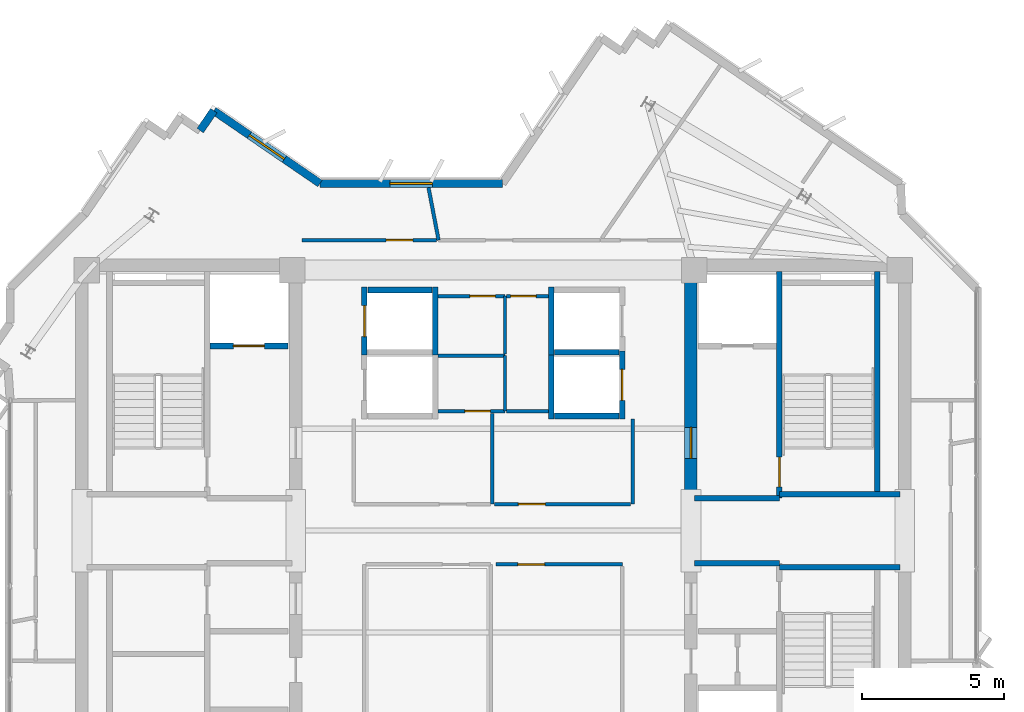
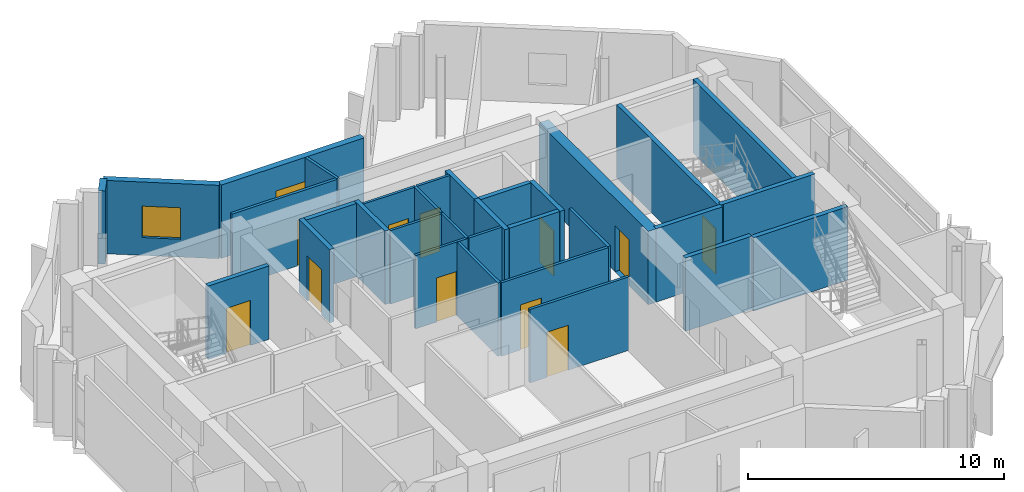
# One storey, part 7 of 11: 32 walls, 11 doors, 2 windows, 13 openings.
"""IFC4 building model written with IfcOpenShell, lengths in metres."""

from ifc_helpers import new_model, si_unit, direction, frame, frame_2d, origin, place, context, subcontext, project, spatial, rectangle, extrude, source, transform, mapped, material, layer, layer_set, type_object, element, fill, save


model = new_model("IFC4")

# Units and contexts
model_context = context("Model", 3, precision=1e-05, world=origin(), true_north=direction((0.0, 1.0)))
body_context = subcontext(model_context, "Body", "Model", "MODEL_VIEW")
ifc_project = project(units=[si_unit("LENGTHUNIT", "METRE"), si_unit("AREAUNIT", "SQUARE_METRE"), si_unit("VOLUMEUNIT", "CUBIC_METRE"), si_unit("PLANEANGLEUNIT", "RADIAN"), si_unit("MASSUNIT", "GRAM", prefix="KILO")], contexts=[model_context])

# Site, building, storey
site_placement = place(None, origin())
site = spatial("IfcSite", under=ifc_project, at=site_placement, CompositionType="ELEMENT")
building_placement = place(site_placement, origin())
building = spatial("IfcBuilding", under=site, at=building_placement, Name="Zahravan Cultural Tower", CompositionType="ELEMENT")
storey_placement = place(building_placement, frame((0.0, 0.0, 338.550048828125)))
storey = spatial("IfcBuildingStorey", under=building, at=storey_placement, Name="L82", CompositionType="ELEMENT", Elevation=338.550048828125)

# Wall, opening, door
ifc_material_1 = material(Name="Concrete C50/60", Category="concrete")
ifc_layer_1 = layer(ifc_material_1, 0.449951171875)
ifc_layer_set_1 = layer_set([ifc_layer_1], Name="Concrete C50/60")
wall_type_1 = type_object("IfcWallType", Name="CW-SHEAR-450-C50", PredefinedType="SHEAR", material=ifc_layer_set_1)
wall_1_placement = place(storey_placement, frame((42.97509765625, 28.050048828125, 0.0), z_axis=(0.0, 0.0, 1.0), x_axis=(0.0, 1.0, 0.0)))
wall_1 = element("IfcWall", 1, at=wall_1_placement, inside=storey, type_object=wall_type_1, Name="L82 Core Shear Wall CW-E-WN-L82", PredefinedType="SHEAR", context=body_context, shape_type="SweptSolid", body=[
    extrude(rectangle(XDim=8.550048828125, YDim=0.449951171875, at=frame_2d((4.27490234375, 0.0))), origin(), (0.0, 0.0, 1.0), 3.5),
])
opening_1_placement = place(wall_1_placement, frame((1.5, 0.0, 0.0)))
opening_1 = element("IfcOpeningElement", 2, at=opening_1_placement, cuts=wall_1, Name="Opening D-L82-07", PredefinedType="OPENING", context=body_context, shape_type="SweptSolid", body=[
    extrude(rectangle(XDim=1.10009765625, YDim=2.199951171875, at=frame_2d((0.550048828125, 1.10009765625))), frame((0.0, 0.23486328125, 0.0), z_axis=(0.0, -1.0, 0.0), x_axis=(1.0, 0.0, 0.0)), (0.0, 0.0, 1.0), 0.469970703125),
])
ifc_material_2 = material(Name="Steel ASTM A572 Grade 50", Category="steel")
door_type_1 = type_object("IfcDoorType", Name="DR-LOBBY-1100", OperationType="NOTDEFINED", PredefinedType="DOOR", material=ifc_material_2)
shared_shape_1 = source(origin(), body_context, "Body", "SweptSolid", [
    extrude(rectangle(XDim=1.10009765625, YDim=2.199951171875, at=frame_2d((0.550048828125, 1.10009765625))), frame((0.0, 0.02490234375, 0.0), z_axis=(0.0, -1.0, 0.0), x_axis=(1.0, 0.0, 0.0)), (0.0, 0.0, 1.0), 0.050048828125),
])
door_1_placement = place(opening_1_placement, origin())
door_1 = element("IfcDoor", 3, at=door_1_placement, inside=storey, type_object=door_type_1, Name="L82 Door D-L82-07", OperationType="SINGLE_SWING_RIGHT", OverallHeight=2.199951171875, OverallWidth=1.10009765625, PredefinedType="DOOR", context=body_context, shape_type="MappedRepresentation", body=[
    mapped(shared_shape_1, transform((0.0, 0.0, 0.0), x_axis=(1.0, 0.0, 0.0), y_axis=(0.0, 1.0, 0.0), z_axis=(0.0, 0.0, 1.0), scale=1.0)),
])
fill(opening_1, door_1)

# Wall, opening, window
ifc_material_3 = material(Name="Precast concrete C40/50", Category="concrete")
ifc_layer_2 = layer(ifc_material_3, 0.280029296875)
ifc_layer_set_2 = layer_set([ifc_layer_2], Name="Precast concrete C40/50")
wall_type_2 = type_object("IfcWallType", Name="EW-TC-280", PredefinedType="SOLIDWALL", material=ifc_layer_set_2)
wall_2_placement = place(storey_placement, frame((26.1318359375, 41.82861328125, 0.0), z_axis=(0.0, 0.0, 1.0), x_axis=(0.825104362901, -0.564980345075, 0.0)))
wall_2 = element("IfcWall", 4, at=wall_2_placement, inside=storey, type_object=wall_type_2, Name="L82 Exterior Masonry Frame Wall 12", PredefinedType="SOLIDWALL", context=body_context, shape_type="SweptSolid", body=[
    extrude(rectangle(XDim=4.54638671875, YDim=0.280029296875, at=frame_2d((2.273193359375, 0.0))), origin(), (0.0, 0.0, 1.0), 3.5),
])
opening_2_placement = place(wall_2_placement, frame((1.52294921875, 0.0, 0.85009765625)))
opening_2 = element("IfcOpeningElement", 5, at=opening_2_placement, cuts=wall_2, Name="Opening WN-03", PredefinedType="OPENING", context=body_context, shape_type="SweptSolid", body=[
    extrude(rectangle(XDim=1.5, YDim=1.5, at=frame_2d((0.75, 0.75))), frame((0.0, 0.14990234375, 0.0), z_axis=(0.0, -1.0, 0.0), x_axis=(1.0, 0.0, 0.0)), (0.0, 0.0, 1.0), 0.300048828125),
])
ifc_material_4 = material(Name="Low-E solar-control double glazing", Category="glass")
window_type = type_object("IfcWindowType", Name="WN-REC-1500X1500", PartitioningType="SINGLE_PANEL", PredefinedType="WINDOW", material=ifc_material_4)
shared_shape_2 = source(origin(), body_context, "Body", "SweptSolid", [
    extrude(rectangle(XDim=1.5, YDim=1.5, at=frame_2d((0.75, 0.75))), frame((0.0, 0.030029296875, 0.0), z_axis=(0.0, -1.0, 0.0), x_axis=(1.0, 0.0, 0.0)), (0.0, 0.0, 1.0), 0.06005859375),
])
window_1_placement = place(opening_2_placement, origin())
window_1 = element("IfcWindow", 6, at=window_1_placement, inside=storey, type_object=window_type, Name="L82 Recessed Solar Window 03", OverallHeight=1.5, OverallWidth=1.5, PartitioningType="SINGLE_PANEL", PredefinedType="WINDOW", context=body_context, shape_type="MappedRepresentation", body=[
    mapped(shared_shape_2, transform((0.0, 0.0, 0.0), x_axis=(1.0, 0.0, 0.0), y_axis=(0.0, 1.0, 0.0), z_axis=(0.0, 0.0, 1.0), scale=1.0)),
])
fill(opening_2, window_1)

wall_3_placement = place(storey_placement, frame((29.883056640625, 39.260009765625, 0.0), z_axis=(0.0, 0.0, 1.0), x_axis=(1.0, 0.0, 0.0)))
wall_3 = element("IfcWall", 7, at=wall_3_placement, inside=storey, type_object=wall_type_2, Name="L82 Exterior Masonry Frame Wall 13", PredefinedType="SOLIDWALL", context=body_context, shape_type="SweptSolid", body=[
    extrude(rectangle(XDim=6.43994140625, YDim=0.280029296875, at=frame_2d((3.219970703125, 0.0))), origin(), (0.0, 0.0, 1.0), 3.5),
])
opening_3_placement = place(wall_3_placement, frame((2.469970703125, 0.0, 0.85009765625)))
opening_3 = element("IfcOpeningElement", 8, at=opening_3_placement, cuts=wall_3, Name="Opening WN-03", PredefinedType="OPENING", context=body_context, shape_type="SweptSolid", body=[
    extrude(rectangle(XDim=1.5, YDim=1.5, at=frame_2d((0.75, 0.75))), frame((0.0, 0.14990234375, 0.0), z_axis=(0.0, -1.0, 0.0), x_axis=(1.0, 0.0, 0.0)), (0.0, 0.0, 1.0), 0.300048828125),
])
window_2_placement = place(opening_3_placement, origin())
window_2 = element("IfcWindow", 9, at=window_2_placement, inside=storey, type_object=window_type, Name="L82 Recessed Solar Window 04", OverallHeight=1.5, OverallWidth=1.5, PartitioningType="SINGLE_PANEL", PredefinedType="WINDOW", context=body_context, shape_type="MappedRepresentation", body=[
    mapped(shared_shape_2, transform((0.0, 0.0, 0.0), x_axis=(1.0, 0.0, 0.0), y_axis=(0.0, 1.0, 0.0), z_axis=(0.0, 0.0, 1.0), scale=1.0)),
])
fill(opening_3, window_2)

# Wall, opening, door
ifc_material_5 = material(Name="Gypsum plasterboard partition")
ifc_layer_3 = layer(ifc_material_5, 0.125)
ifc_layer_set_3 = layer_set([ifc_layer_3], Name="Gypsum plasterboard partition")
wall_type_3 = type_object("IfcWallType", Name="W-PART-125", PredefinedType="PARTITIONING", material=ifc_layer_set_3)
wall_4_placement = place(storey_placement, frame((40.8525390625, 27.93994140625, 0.0), z_axis=(0.0, 0.0, 1.0), x_axis=(-1.0, 0.0, 0.0)))
wall_4 = element("IfcWall", 10, at=wall_4_placement, inside=storey, type_object=wall_type_3, Name="L82 Interior Wall 054", PredefinedType="PARTITIONING", context=body_context, shape_type="SweptSolid", body=[
    extrude(rectangle(XDim=4.81494140625, YDim=0.125, at=frame_2d((2.407470703125, 0.0))), origin(), (0.0, 0.0, 1.0), 3.5),
])
opening_4_placement = place(wall_4_placement, frame((3.0146484375, 0.0, 0.0)))
opening_4 = element("IfcOpeningElement", 11, at=opening_4_placement, cuts=wall_4, Name="Opening D-L82-19", PredefinedType="OPENING", context=body_context, shape_type="SweptSolid", body=[
    extrude(rectangle(XDim=0.949951171875, YDim=2.14990234375, at=frame_2d((0.47509765625, 1.074951171875))), frame((0.0, 0.072509765625, 0.0), z_axis=(0.0, -1.0, 0.0), x_axis=(1.0, 0.0, 0.0)), (0.0, 0.0, 1.0), 0.14501953125),
])
ifc_material_6 = material(Name="Anodised bronze-aluminium mullion", Category="aluminium")
door_type_2 = type_object("IfcDoorType", Name="DR-ROOM-950", OperationType="NOTDEFINED", PredefinedType="DOOR", material=ifc_material_6)
shared_shape_3 = source(origin(), body_context, "Body", "SweptSolid", [
    extrude(rectangle(XDim=0.949951171875, YDim=2.14990234375, at=frame_2d((0.47509765625, 1.074951171875))), frame((0.0, 0.02490234375, 0.0), z_axis=(0.0, -1.0, 0.0), x_axis=(1.0, 0.0, 0.0)), (0.0, 0.0, 1.0), 0.050048828125),
])
door_2_placement = place(opening_4_placement, origin())
door_2 = element("IfcDoor", 12, at=door_2_placement, inside=storey, type_object=door_type_2, Name="L82 Door D-L82-19", OperationType="SINGLE_SWING_RIGHT", OverallHeight=2.14990234375, OverallWidth=0.949951171875, PredefinedType="DOOR", context=body_context, shape_type="MappedRepresentation", body=[
    mapped(shared_shape_3, transform((0.0, 0.0, 0.0), x_axis=(1.0, 0.0, 0.0), y_axis=(0.0, 1.0, 0.0), z_axis=(0.0, 0.0, 1.0), scale=1.0)),
])
fill(opening_4, door_2)

wall_5_placement = place(storey_placement, frame((36.090087890625, 25.81005859375, 0.0), z_axis=(0.0, 0.0, 1.0), x_axis=(1.0, 0.0, 0.0)))
wall_5 = element("IfcWall", 13, at=wall_5_placement, inside=storey, type_object=wall_type_3, Name="L82 Interior Wall 088", PredefinedType="PARTITIONING", context=body_context, shape_type="SweptSolid", body=[
    extrude(rectangle(XDim=4.469970703125, YDim=0.125, at=frame_2d((2.23486328125, 0.0))), origin(), (0.0, 0.0, 1.0), 3.5),
])
opening_5_placement = place(wall_5_placement, frame((0.7744140625, 0.0, 0.0)))
opening_5 = element("IfcOpeningElement", 14, at=opening_5_placement, cuts=wall_5, Name="Opening D-L82-15", PredefinedType="OPENING", context=body_context, shape_type="SweptSolid", body=[
    extrude(rectangle(XDim=0.949951171875, YDim=2.14990234375, at=frame_2d((0.47509765625, 1.074951171875))), frame((0.0, 0.072509765625, 0.0), z_axis=(0.0, -1.0, 0.0), x_axis=(1.0, 0.0, 0.0)), (0.0, 0.0, 1.0), 0.14501953125),
])
door_3_placement = place(opening_5_placement, origin())
door_3 = element("IfcDoor", 15, at=door_3_placement, inside=storey, type_object=door_type_2, Name="L82 Door D-L82-15", OperationType="SINGLE_SWING_RIGHT", OverallHeight=2.14990234375, OverallWidth=0.949951171875, PredefinedType="DOOR", context=body_context, shape_type="MappedRepresentation", body=[
    mapped(shared_shape_3, transform((0.0, 0.0, 0.0), x_axis=(1.0, 0.0, 0.0), y_axis=(0.0, 1.0, 0.0), z_axis=(0.0, 0.0, 1.0), scale=1.0)),
])
fill(opening_5, door_3)

wall_6_placement = place(storey_placement, frame((34.000244140625, 37.260009765625, 0.0), z_axis=(0.0, 0.0, 1.0), x_axis=(-0.999999994709, -0.000102870075, 0.0)))
wall_6 = element("IfcWall", 16, at=wall_6_placement, inside=storey, type_object=wall_type_3, Name="L82 Interior Wall 094", PredefinedType="PARTITIONING", context=body_context, shape_type="SweptSolid", body=[
    extrude(rectangle(XDim=4.74658203125, YDim=0.125, at=frame_2d((2.373291015625, 0.0))), origin(), (0.0, 0.0, 1.0), 3.5),
])
opening_6_placement = place(wall_6_placement, frame((0.835205078125, 0.0, 0.0)))
opening_6 = element("IfcOpeningElement", 17, at=opening_6_placement, cuts=wall_6, Name="Opening D-L82-23", PredefinedType="OPENING", context=body_context, shape_type="SweptSolid", body=[
    extrude(rectangle(XDim=0.949951171875, YDim=2.14990234375, at=frame_2d((0.47509765625, 1.074951171875))), frame((0.0, 0.072509765625, 0.0), z_axis=(0.0, -1.0, 0.0), x_axis=(1.0, 0.0, 0.0)), (0.0, 0.0, 1.0), 0.14501953125),
])
door_4_placement = place(opening_6_placement, origin())
door_4 = element("IfcDoor", 18, at=door_4_placement, inside=storey, type_object=door_type_2, Name="L82 Door D-L82-23", OperationType="SINGLE_SWING_RIGHT", OverallHeight=2.14990234375, OverallWidth=0.949951171875, PredefinedType="DOOR", context=body_context, shape_type="MappedRepresentation", body=[
    mapped(shared_shape_3, transform((0.0, 0.0, 0.0), x_axis=(1.0, 0.0, 0.0), y_axis=(0.0, 1.0, 0.0), z_axis=(0.0, 0.0, 1.0), scale=1.0)),
])
fill(opening_6, door_4)

ifc_material_7 = material(Name="Concrete C45/55", Category="concrete")
ifc_layer_4 = layer(ifc_material_7, 0.199951171875)
ifc_layer_set_4 = layer_set([ifc_layer_4], Name="Concrete C45/55")
wall_type_4 = type_object("IfcWallType", Name="W-SHAFT-200", PredefinedType="SOLIDWALL", material=ifc_layer_set_4)
wall_7_placement = place(storey_placement, frame((46.10009765625, 28.14990234375, 0.0), z_axis=(0.0, 0.0, 1.0), x_axis=(0.0, 1.0, 0.0)))
wall_7 = element("IfcWall", 19, at=wall_7_placement, inside=storey, type_object=wall_type_4, Name="L82 Interior Wall 008", PredefinedType="SOLIDWALL", context=body_context, shape_type="SweptSolid", body=[
    extrude(rectangle(XDim=8.0, YDim=0.199951171875, at=frame_2d((4.0, 0.0))), origin(), (0.0, 0.0, 1.0), 3.5),
])
opening_7_placement = place(wall_7_placement, frame((0.39990234375, 0.0, 0.0)))
opening_7 = element("IfcOpeningElement", 20, at=opening_7_placement, cuts=wall_7, Name="Opening D-L82-02", PredefinedType="OPENING", context=body_context, shape_type="SweptSolid", body=[
    extrude(rectangle(XDim=1.050048828125, YDim=2.14990234375, at=frame_2d((0.52490234375, 1.074951171875))), frame((0.0, 0.10986328125, 0.0), z_axis=(0.0, -1.0, 0.0), x_axis=(1.0, 0.0, 0.0)), (0.0, 0.0, 1.0), 0.219970703125),
])
door_type_3 = type_object("IfcDoorType", Name="DR-STAIR-1050", OperationType="NOTDEFINED", PredefinedType="DOOR", material=ifc_material_2)
shared_shape_4 = source(origin(), body_context, "Body", "SweptSolid", [
    extrude(rectangle(XDim=1.050048828125, YDim=2.14990234375, at=frame_2d((0.52490234375, 1.074951171875))), frame((0.0, 0.02490234375, 0.0), z_axis=(0.0, -1.0, 0.0), x_axis=(1.0, 0.0, 0.0)), (0.0, 0.0, 1.0), 0.050048828125),
])
door_5_placement = place(opening_7_placement, origin())
door_5 = element("IfcDoor", 21, at=door_5_placement, inside=storey, type_object=door_type_3, Name="L82 Door D-L82-02", OperationType="SINGLE_SWING_LEFT", OverallHeight=2.14990234375, OverallWidth=1.050048828125, PredefinedType="DOOR", context=body_context, shape_type="MappedRepresentation", body=[
    mapped(shared_shape_4, transform((0.0, 0.0, 0.0), x_axis=(1.0, 0.0, 0.0), y_axis=(0.0, 1.0, 0.0), z_axis=(0.0, 0.0, 1.0), scale=1.0)),
])
fill(opening_7, door_5)

wall_8_placement = place(storey_placement, frame((26.0, 33.52001953125, 0.0), z_axis=(0.0, 0.0, 1.0), x_axis=(1.0, 0.0, 0.0)))
wall_8 = element("IfcWall", 22, at=wall_8_placement, inside=storey, type_object=wall_type_4, Name="L82 Interior Wall 022", PredefinedType="SOLIDWALL", context=body_context, shape_type="SweptSolid", body=[
    extrude(rectangle(XDim=2.75, YDim=0.199951171875, at=frame_2d((1.375, 0.0))), origin(), (0.0, 0.0, 1.0), 3.5),
])
opening_8_placement = place(wall_8_placement, frame((0.820068359375, 0.0, 0.0)))
opening_8 = element("IfcOpeningElement", 23, at=opening_8_placement, cuts=wall_8, Name="Opening LD-L82-01", PredefinedType="OPENING", context=body_context, shape_type="SweptSolid", body=[
    extrude(rectangle(XDim=1.10009765625, YDim=2.14990234375, at=frame_2d((0.550048828125, 1.074951171875))), frame((0.0, 0.10986328125, 0.0), z_axis=(0.0, -1.0, 0.0), x_axis=(1.0, 0.0, 0.0)), (0.0, 0.0, 1.0), 0.219970703125),
])
door_type_4 = type_object("IfcDoorType", Name="DR-LIFT-1100", OperationType="DOUBLE_DOOR_SLIDING", PredefinedType="DOOR", material=ifc_material_2)
shared_shape_5 = source(origin(), body_context, "Body", "SweptSolid", [
    extrude(rectangle(XDim=1.10009765625, YDim=2.14990234375, at=frame_2d((0.550048828125, 1.074951171875))), frame((0.0, 0.02490234375, 0.0), z_axis=(0.0, -1.0, 0.0), x_axis=(1.0, 0.0, 0.0)), (0.0, 0.0, 1.0), 0.050048828125),
])
door_6_placement = place(opening_8_placement, origin())
door_6 = element("IfcDoor", 24, at=door_6_placement, inside=storey, type_object=door_type_4, Name="L82 Door LD-L82-01", OperationType="DOUBLE_DOOR_SLIDING", OverallHeight=2.14990234375, OverallWidth=1.10009765625, PredefinedType="DOOR", context=body_context, shape_type="MappedRepresentation", body=[
    mapped(shared_shape_5, transform((0.0, 0.0, 0.0), x_axis=(1.0, 0.0, 0.0), y_axis=(0.0, 1.0, 0.0), z_axis=(0.0, 0.0, 1.0), scale=1.0)),
])
fill(opening_8, door_6)

wall_9_placement = place(storey_placement, frame((31.449951171875, 33.199951171875, 0.0), z_axis=(0.0, 0.0, 1.0), x_axis=(0.0, 1.0, 0.0)))
wall_9 = element("IfcWall", 25, at=wall_9_placement, inside=storey, type_object=wall_type_4, Name="L82 Interior Wall 029", PredefinedType="SOLIDWALL", context=body_context, shape_type="SweptSolid", body=[
    extrude(rectangle(XDim=2.400146484375, YDim=0.199951171875, at=frame_2d((1.2001953125, 0.0))), origin(), (0.0, 0.0, 1.0), 3.5),
])
opening_9_placement = place(wall_9_placement, frame((0.64990234375, 0.0, 0.0)))
opening_9 = element("IfcOpeningElement", 26, at=opening_9_placement, cuts=wall_9, Name="Opening LD-L82-04", PredefinedType="OPENING", context=body_context, shape_type="SweptSolid", body=[
    extrude(rectangle(XDim=1.10009765625, YDim=2.14990234375, at=frame_2d((0.550048828125, 1.074951171875))), frame((0.0, 0.10986328125, 0.0), z_axis=(0.0, -1.0, 0.0), x_axis=(1.0, 0.0, 0.0)), (0.0, 0.0, 1.0), 0.219970703125),
])
door_7_placement = place(opening_9_placement, origin())
door_7 = element("IfcDoor", 27, at=door_7_placement, inside=storey, type_object=door_type_4, Name="L82 Door LD-L82-04", OperationType="DOUBLE_DOOR_SLIDING", OverallHeight=2.14990234375, OverallWidth=1.10009765625, PredefinedType="DOOR", context=body_context, shape_type="MappedRepresentation", body=[
    mapped(shared_shape_5, transform((0.0, 0.0, 0.0), x_axis=(1.0, 0.0, 0.0), y_axis=(0.0, 1.0, 0.0), z_axis=(0.0, 0.0, 1.0), scale=1.0)),
])
fill(opening_9, door_7)

wall_10_placement = place(storey_placement, frame((40.550048828125, 30.949951171875, 0.0), z_axis=(0.0, 0.0, 1.0), x_axis=(0.0, 1.0, 0.0)))
wall_10 = element("IfcWall", 28, at=wall_10_placement, inside=storey, type_object=wall_type_4, Name="L82 Interior Wall 041", PredefinedType="SOLIDWALL", context=body_context, shape_type="SweptSolid", body=[
    extrude(rectangle(XDim=2.400146484375, YDim=0.199951171875, at=frame_2d((1.2001953125, 0.0))), origin(), (0.0, 0.0, 1.0), 3.5),
])
opening_10_placement = place(wall_10_placement, frame((0.64990234375, 0.0, 0.0)))
opening_10 = element("IfcOpeningElement", 29, at=opening_10_placement, cuts=wall_10, Name="Opening LD-L82-07", PredefinedType="OPENING", context=body_context, shape_type="SweptSolid", body=[
    extrude(rectangle(XDim=1.10009765625, YDim=2.14990234375, at=frame_2d((0.550048828125, 1.074951171875))), frame((0.0, 0.10986328125, 0.0), z_axis=(0.0, -1.0, 0.0), x_axis=(1.0, 0.0, 0.0)), (0.0, 0.0, 1.0), 0.219970703125),
])
door_8_placement = place(opening_10_placement, origin())
door_8 = element("IfcDoor", 30, at=door_8_placement, inside=storey, type_object=door_type_4, Name="L82 Door LD-L82-07", OperationType="DOUBLE_DOOR_SLIDING", OverallHeight=2.14990234375, OverallWidth=1.10009765625, PredefinedType="DOOR", context=body_context, shape_type="MappedRepresentation", body=[
    mapped(shared_shape_5, transform((0.0, 0.0, 0.0), x_axis=(1.0, 0.0, 0.0), y_axis=(0.0, 1.0, 0.0), z_axis=(0.0, 0.0, 1.0), scale=1.0)),
])
fill(opening_10, door_8)

ifc_layer_5 = layer(ifc_material_5, 0.114990234375)
ifc_layer_set_5 = layer_set([ifc_layer_5], Name="Gypsum plasterboard partition")
wall_type_5 = type_object("IfcWallType", Name="W-WC-115", PredefinedType="PARTITIONING", material=ifc_layer_set_5)
wall_11_placement = place(storey_placement, frame((36.409912109375, 31.219970703125, 0.0), z_axis=(0.0, 0.0, 1.0), x_axis=(-1.0, 0.0, 0.0)))
wall_11 = element("IfcWall", 31, at=wall_11_placement, inside=storey, type_object=wall_type_5, Name="L82 Interior Wall 043", PredefinedType="PARTITIONING", context=body_context, shape_type="SweptSolid", body=[
    extrude(rectangle(XDim=2.35498046875, YDim=0.114990234375, at=frame_2d((1.177490234375, 0.0))), origin(), (0.0, 0.0, 1.0), 3.5),
])
opening_11_placement = place(wall_11_placement, frame((0.5166015625, 0.0, 0.0)))
opening_11 = element("IfcOpeningElement", 32, at=opening_11_placement, cuts=wall_11, Name="Opening D-L82-30", PredefinedType="OPENING", context=body_context, shape_type="SweptSolid", body=[
    extrude(rectangle(XDim=0.89990234375, YDim=2.10009765625, at=frame_2d((0.449951171875, 1.050048828125))), frame((0.0, 0.0673828125, 0.0), z_axis=(0.0, -1.0, 0.0), x_axis=(1.0, 0.0, 0.0)), (0.0, 0.0, 1.0), 0.135009765625),
])
door_type_5 = type_object("IfcDoorType", Name="DR-WC-900", OperationType="NOTDEFINED", PredefinedType="DOOR", material=ifc_material_6)
shared_shape_6 = source(origin(), body_context, "Body", "SweptSolid", [
    extrude(rectangle(XDim=0.89990234375, YDim=2.10009765625, at=frame_2d((0.449951171875, 1.050048828125))), frame((0.0, 0.02490234375, 0.0), z_axis=(0.0, -1.0, 0.0), x_axis=(1.0, 0.0, 0.0)), (0.0, 0.0, 1.0), 0.050048828125),
])
door_9_placement = place(opening_11_placement, origin())
door_9 = element("IfcDoor", 33, at=door_9_placement, inside=storey, type_object=door_type_5, Name="L82 Door D-L82-30", OperationType="SINGLE_SWING_LEFT", OverallHeight=2.10009765625, OverallWidth=0.89990234375, PredefinedType="DOOR", context=body_context, shape_type="MappedRepresentation", body=[
    mapped(shared_shape_6, transform((0.0, 0.0, 0.0), x_axis=(1.0, 0.0, 0.0), y_axis=(0.0, 1.0, 0.0), z_axis=(0.0, 0.0, 1.0), scale=1.0)),
])
fill(opening_11, door_9)

wall_12_placement = place(storey_placement, frame((34.054931640625, 35.280029296875, 0.0), z_axis=(0.0, 0.0, 1.0), x_axis=(1.0, 0.0, 0.0)))
wall_12 = element("IfcWall", 34, at=wall_12_placement, inside=storey, type_object=wall_type_5, Name="L82 Interior Wall 046", PredefinedType="PARTITIONING", context=body_context, shape_type="SweptSolid", body=[
    extrude(rectangle(XDim=2.35498046875, YDim=0.114990234375, at=frame_2d((1.177490234375, 0.0))), origin(), (0.0, 0.0, 1.0), 3.5),
])
opening_12_placement = place(wall_12_placement, frame((1.120849609375, 0.0, 0.0)))
opening_12 = element("IfcOpeningElement", 35, at=opening_12_placement, cuts=wall_12, Name="Opening D-L82-16", PredefinedType="OPENING", context=body_context, shape_type="SweptSolid", body=[
    extrude(rectangle(XDim=0.89990234375, YDim=2.10009765625, at=frame_2d((0.449951171875, 1.050048828125))), frame((0.0, 0.0673828125, 0.0), z_axis=(0.0, -1.0, 0.0), x_axis=(1.0, 0.0, 0.0)), (0.0, 0.0, 1.0), 0.135009765625),
])
door_10_placement = place(opening_12_placement, origin())
door_10 = element("IfcDoor", 36, at=door_10_placement, inside=storey, type_object=door_type_5, Name="L82 Door D-L82-16", OperationType="SINGLE_SWING_LEFT", OverallHeight=2.10009765625, OverallWidth=0.89990234375, PredefinedType="DOOR", context=body_context, shape_type="MappedRepresentation", body=[
    mapped(shared_shape_6, transform((0.0, 0.0, 0.0), x_axis=(1.0, 0.0, 0.0), y_axis=(0.0, 1.0, 0.0), z_axis=(0.0, 0.0, 1.0), scale=1.0)),
])
fill(opening_12, door_10)

wall_13_placement = place(storey_placement, frame((36.472412109375, 35.280029296875, 0.0), z_axis=(0.0, 0.0, 1.0), x_axis=(1.0, 0.0, 0.0)))
wall_13 = element("IfcWall", 37, at=wall_13_placement, inside=storey, type_object=wall_type_5, Name="L82 Interior Wall 049", PredefinedType="PARTITIONING", context=body_context, shape_type="SweptSolid", body=[
    extrude(rectangle(XDim=1.47265625, YDim=0.114990234375, at=frame_2d((0.736328125, 0.0))), origin(), (0.0, 0.0, 1.0), 3.5),
])
opening_13_placement = place(wall_13_placement, frame((0.139892578125, 0.0, 0.0)))
opening_13 = element("IfcOpeningElement", 38, at=opening_13_placement, cuts=wall_13, Name="Opening D-L82-17", PredefinedType="OPENING", context=body_context, shape_type="SweptSolid", body=[
    extrude(rectangle(XDim=0.89990234375, YDim=2.10009765625, at=frame_2d((0.449951171875, 1.050048828125))), frame((0.0, 0.0673828125, 0.0), z_axis=(0.0, -1.0, 0.0), x_axis=(1.0, 0.0, 0.0)), (0.0, 0.0, 1.0), 0.135009765625),
])
door_11_placement = place(opening_13_placement, origin())
door_11 = element("IfcDoor", 39, at=door_11_placement, inside=storey, type_object=door_type_5, Name="L82 Door D-L82-17", OperationType="SINGLE_SWING_RIGHT", OverallHeight=2.10009765625, OverallWidth=0.89990234375, PredefinedType="DOOR", context=body_context, shape_type="MappedRepresentation", body=[
    mapped(shared_shape_6, transform((0.0, 0.0, 0.0), x_axis=(1.0, 0.0, 0.0), y_axis=(0.0, 1.0, 0.0), z_axis=(0.0, 0.0, 1.0), scale=1.0)),
])
fill(opening_13, door_11)

# Walls
shared_shape_7 = source(origin(), body_context, "Body", "SweptSolid", [
    extrude(rectangle(XDim=0.85009765625, YDim=0.280029296875, at=frame_2d((0.425048828125, 0.0))), origin(), (0.0, 0.0, 1.0), 3.5),
])
wall_14_placement = place(storey_placement, frame((25.651611328125, 41.127197265625, 0.0), z_axis=(0.0, 0.0, 1.0), x_axis=(0.564930994418, 0.825138153006, 0.0)))
element("IfcWall", 40, at=wall_14_placement, inside=storey, type_object=wall_type_2, Name="L82 Exterior Masonry Frame Wall 11", PredefinedType="SOLIDWALL", context=body_context, shape_type="MappedRepresentation", body=[
    mapped(shared_shape_7, transform((0.0, 0.0, 0.0), x_axis=(1.0, 0.0, 0.0), y_axis=(0.0, 1.0, 0.0), z_axis=(0.0, 0.0, 1.0), scale=1.0)),
])
shared_shape_8 = source(origin(), body_context, "Body", "SweptSolid", [
    extrude(rectangle(XDim=7.869873046875, YDim=0.199951171875, at=frame_2d((3.93505859375, 0.0))), origin(), (0.0, 0.0, 1.0), 3.5),
])
wall_15_placement = place(storey_placement, frame((49.550048828125, 28.280029296875, 0.0), z_axis=(0.0, 0.0, 1.0), x_axis=(0.0, 1.0, 0.0)))
element("IfcWall", 41, at=wall_15_placement, inside=storey, type_object=wall_type_4, Name="L82 Interior Wall 004", PredefinedType="SOLIDWALL", context=body_context, shape_type="MappedRepresentation", body=[
    mapped(shared_shape_8, transform((0.0, 0.0, 0.0), x_axis=(1.0, 0.0, 0.0), y_axis=(0.0, 1.0, 0.0), z_axis=(0.0, 0.0, 1.0), scale=1.0)),
])
shared_shape_9 = source(origin(), body_context, "Body", "SweptSolid", [
    extrude(rectangle(XDim=4.25, YDim=0.199951171875, at=frame_2d((2.125, 0.0))), origin(), (0.0, 0.0, 1.0), 3.5),
])
for number, where, z_axis, x_axis, name in (
    (42, (46.10009765625, 25.715087890625, 0.0), (0.0, 0.0, 1.0), (1.0, 0.0, 0.0), "L82 Interior Wall 014"),
    (43, (46.10009765625, 28.284912109375, 0.0), (0.0, 0.0, 1.0), (1.0, 0.0, 0.0), "L82 Interior Wall 016"),
):
    element("IfcWall", number, at=place(storey_placement, frame(where, z_axis=z_axis, x_axis=x_axis)), inside=storey, type_object=wall_type_4, Name=name, PredefinedType="SOLIDWALL", context=body_context, shape_type="MappedRepresentation", body=[
        mapped(shared_shape_9, transform((0.0, 0.0, 0.0), x_axis=(1.0, 0.0, 0.0), y_axis=(0.0, 1.0, 0.0), z_axis=(0.0, 0.0, 1.0), scale=1.0)),
    ])
shared_shape_10 = source(origin(), body_context, "Body", "SweptSolid", [
    extrude(rectangle(XDim=3.0, YDim=0.199951171875, at=frame_2d((1.5, 0.0))), origin(), (0.0, 0.0, 1.0), 3.5),
])
for number, where, z_axis, x_axis, name in (
    (44, (43.10009765625, 25.85009765625, 0.0), (0.0, 0.0, 1.0), (1.0, 0.0, 0.0), "L82 Interior Wall 013"),
    (45, (43.10009765625, 28.14990234375, 0.0), (0.0, 0.0, 1.0), (1.0, 0.0, 0.0), "L82 Interior Wall 015"),
):
    element("IfcWall", number, at=place(storey_placement, frame(where, z_axis=z_axis, x_axis=x_axis)), inside=storey, type_object=wall_type_4, Name=name, PredefinedType="SOLIDWALL", context=body_context, shape_type="MappedRepresentation", body=[
        mapped(shared_shape_10, transform((0.0, 0.0, 0.0), x_axis=(1.0, 0.0, 0.0), y_axis=(0.0, 1.0, 0.0), z_axis=(0.0, 0.0, 1.0), scale=1.0)),
    ])
shared_shape_11 = source(origin(), body_context, "Body", "SweptSolid", [
    extrude(rectangle(XDim=2.400146484375, YDim=0.199951171875, at=frame_2d((1.2001953125, 0.0))), origin(), (0.0, 0.0, 1.0), 3.5),
])
for number, where, z_axis, x_axis, name in (
    (46, (33.949951171875, 33.199951171875, 0.0), (0.0, 0.0, 1.0), (0.0, 1.0, 0.0), "L82 Interior Wall 030"),
    (47, (38.050048828125, 33.199951171875, 0.0), (0.0, 0.0, 1.0), (0.0, 1.0, 0.0), "L82 Interior Wall 036"),
    (48, (38.050048828125, 30.949951171875, 0.0), (0.0, 0.0, 1.0), (0.0, 1.0, 0.0), "L82 Interior Wall 040"),
):
    element("IfcWall", number, at=place(storey_placement, frame(where, z_axis=z_axis, x_axis=x_axis)), inside=storey, type_object=wall_type_4, Name=name, PredefinedType="SOLIDWALL", context=body_context, shape_type="MappedRepresentation", body=[
        mapped(shared_shape_11, transform((0.0, 0.0, 0.0), x_axis=(1.0, 0.0, 0.0), y_axis=(0.0, 1.0, 0.0), z_axis=(0.0, 0.0, 1.0), scale=1.0)),
    ])
shared_shape_12 = source(origin(), body_context, "Body", "SweptSolid", [
    extrude(rectangle(XDim=2.260009765625, YDim=0.199951171875, at=frame_2d((1.1298828125, 0.0))), origin(), (0.0, 0.0, 1.0), 3.5),
])
for number, where, z_axis, x_axis, name in (
    (49, (31.570068359375, 35.5, 0.0), (0.0, 0.0, 1.0), (1.0, 0.0, 0.0), "L82 Interior Wall 032"),
    (50, (38.169921875, 33.300048828125, 0.0), (0.0, 0.0, 1.0), (1.0, 0.0, 0.0), "L82 Interior Wall 038"),
    (51, (38.169921875, 31.050048828125, 0.0), (0.0, 0.0, 1.0), (1.0, 0.0, 0.0), "L82 Interior Wall 042"),
):
    element("IfcWall", number, at=place(storey_placement, frame(where, z_axis=z_axis, x_axis=x_axis)), inside=storey, type_object=wall_type_4, Name=name, PredefinedType="SOLIDWALL", context=body_context, shape_type="MappedRepresentation", body=[
        mapped(shared_shape_12, transform((0.0, 0.0, 0.0), x_axis=(1.0, 0.0, 0.0), y_axis=(0.0, 1.0, 0.0), z_axis=(0.0, 0.0, 1.0), scale=1.0)),
    ])
shared_shape_13 = source(origin(), body_context, "Body", "SweptSolid", [
    extrude(rectangle(XDim=1.9599609375, YDim=0.114990234375, at=frame_2d((0.97998046875, 0.0))), origin(), (0.0, 0.0, 1.0), 3.5),
])
wall_16_placement = place(storey_placement, frame((36.409912109375, 33.179931640625, 0.0), z_axis=(0.0, 0.0, 1.0), x_axis=(0.0, -1.0, 0.0)))
element("IfcWall", 52, at=wall_16_placement, inside=storey, type_object=wall_type_5, Name="L82 Interior Wall 045", PredefinedType="PARTITIONING", context=body_context, shape_type="MappedRepresentation", body=[
    mapped(shared_shape_13, transform((0.0, 0.0, 0.0), x_axis=(1.0, 0.0, 0.0), y_axis=(0.0, 1.0, 0.0), z_axis=(0.0, 0.0, 1.0), scale=1.0)),
])
shared_shape_14 = source(origin(), body_context, "Body", "SweptSolid", [
    extrude(rectangle(XDim=2.0400390625, YDim=0.114990234375, at=frame_2d((1.02001953125, 0.0))), origin(), (0.0, 0.0, 1.0), 3.5),
])
wall_17_placement = place(storey_placement, frame((36.409912109375, 35.280029296875, 0.0), z_axis=(0.0, 0.0, 1.0), x_axis=(0.0, -1.0, 0.0)))
element("IfcWall", 53, at=wall_17_placement, inside=storey, type_object=wall_type_5, Name="L82 Interior Wall 047", PredefinedType="PARTITIONING", context=body_context, shape_type="MappedRepresentation", body=[
    mapped(shared_shape_14, transform((0.0, 0.0, 0.0), x_axis=(1.0, 0.0, 0.0), y_axis=(0.0, 1.0, 0.0), z_axis=(0.0, 0.0, 1.0), scale=1.0)),
])
shared_shape_15 = source(origin(), body_context, "Body", "SweptSolid", [
    extrude(rectangle(XDim=1.47265625, YDim=0.114990234375, at=frame_2d((0.736328125, 0.0))), origin(), (0.0, 0.0, 1.0), 3.5),
])
wall_18_placement = place(storey_placement, frame((37.945068359375, 31.219970703125, 0.0), z_axis=(0.0, 0.0, 1.0), x_axis=(-1.0, 0.0, 0.0)))
element("IfcWall", 54, at=wall_18_placement, inside=storey, type_object=wall_type_5, Name="L82 Interior Wall 048", PredefinedType="PARTITIONING", context=body_context, shape_type="MappedRepresentation", body=[
    mapped(shared_shape_15, transform((0.0, 0.0, 0.0), x_axis=(1.0, 0.0, 0.0), y_axis=(0.0, 1.0, 0.0), z_axis=(0.0, 0.0, 1.0), scale=1.0)),
])
shared_shape_16 = source(origin(), body_context, "Body", "SweptSolid", [
    extrude(rectangle(XDim=3.199951171875, YDim=0.125, at=frame_2d((1.60009765625, 0.0))), origin(), (0.0, 0.0, 1.0), 3.5),
])
wall_19_placement = place(storey_placement, frame((35.969970703125, 31.139892578125, 0.0), z_axis=(0.0, 0.0, 1.0), x_axis=(0.0, -1.0, 0.0)))
element("IfcWall", 55, at=wall_19_placement, inside=storey, type_object=wall_type_3, Name="L82 Interior Wall 050", PredefinedType="PARTITIONING", context=body_context, shape_type="MappedRepresentation", body=[
    mapped(shared_shape_16, transform((0.0, 0.0, 0.0), x_axis=(1.0, 0.0, 0.0), y_axis=(0.0, 1.0, 0.0), z_axis=(0.0, 0.0, 1.0), scale=1.0)),
])
shared_shape_17 = source(origin(), body_context, "Body", "SweptSolid", [
    extrude(rectangle(XDim=3.010009765625, YDim=0.125, at=frame_2d((1.5048828125, 0.0))), origin(), (0.0, 0.0, 1.0), 3.5),
])
wall_20_placement = place(storey_placement, frame((40.919921875, 30.949951171875, 0.0), z_axis=(0.0, 0.0, 1.0), x_axis=(0.0, -1.0, 0.0)))
element("IfcWall", 56, at=wall_20_placement, inside=storey, type_object=wall_type_3, Name="L82 Interior Wall 053", PredefinedType="PARTITIONING", context=body_context, shape_type="MappedRepresentation", body=[
    mapped(shared_shape_17, transform((0.0, 0.0, 0.0), x_axis=(1.0, 0.0, 0.0), y_axis=(0.0, 1.0, 0.0), z_axis=(0.0, 0.0, 1.0), scale=1.0)),
])
shared_shape_18 = source(origin(), body_context, "Body", "SweptSolid", [
    extrude(rectangle(XDim=2.35498046875, YDim=0.114990234375, at=frame_2d((1.177490234375, 0.0))), origin(), (0.0, 0.0, 1.0), 3.5),
])
wall_21_placement = place(storey_placement, frame((34.054931640625, 33.179931640625, 0.0), z_axis=(0.0, 0.0, 1.0), x_axis=(1.0, 0.0, 0.0)))
element("IfcWall", 57, at=wall_21_placement, inside=storey, type_object=wall_type_5, Name="L82 Interior Wall 044", PredefinedType="PARTITIONING", context=body_context, shape_type="MappedRepresentation", body=[
    mapped(shared_shape_18, transform((0.0, 0.0, 0.0), x_axis=(1.0, 0.0, 0.0), y_axis=(0.0, 1.0, 0.0), z_axis=(0.0, 0.0, 1.0), scale=1.0)),
])
shared_shape_19 = source(origin(), body_context, "Body", "SweptSolid", [
    extrude(rectangle(XDim=1.888916015625, YDim=0.125, at=frame_2d((0.9443359375, 0.0))), origin(), (0.0, 0.0, 1.0), 3.5),
])
wall_22_placement = place(storey_placement, frame((34.06884765625, 37.260009765625, 0.0), z_axis=(0.0, 0.0, 1.0), x_axis=(-0.188454265316, 0.982081966989, 0.0)))
element("IfcWall", 58, at=wall_22_placement, inside=storey, type_object=wall_type_3, Name="L82 Interior Wall 091", PredefinedType="PARTITIONING", context=body_context, shape_type="MappedRepresentation", body=[
    mapped(shared_shape_19, transform((0.0, 0.0, 0.0), x_axis=(1.0, 0.0, 0.0), y_axis=(0.0, 1.0, 0.0), z_axis=(0.0, 0.0, 1.0), scale=1.0)),
])

save(model, "model.ifc")
